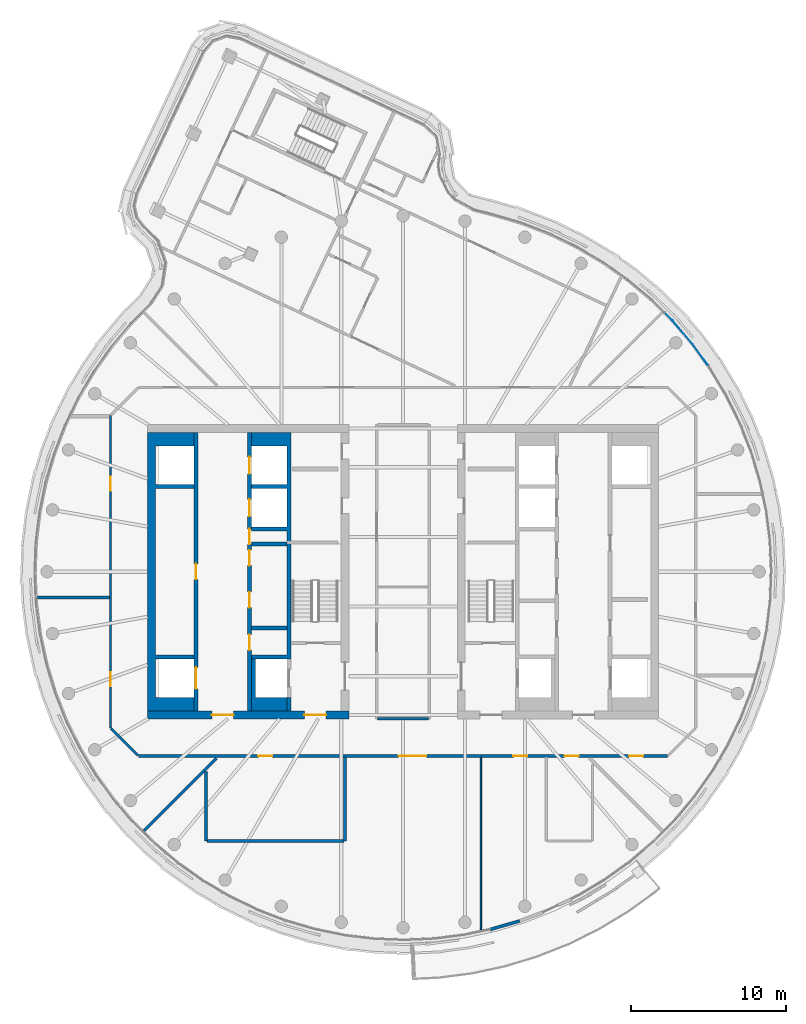
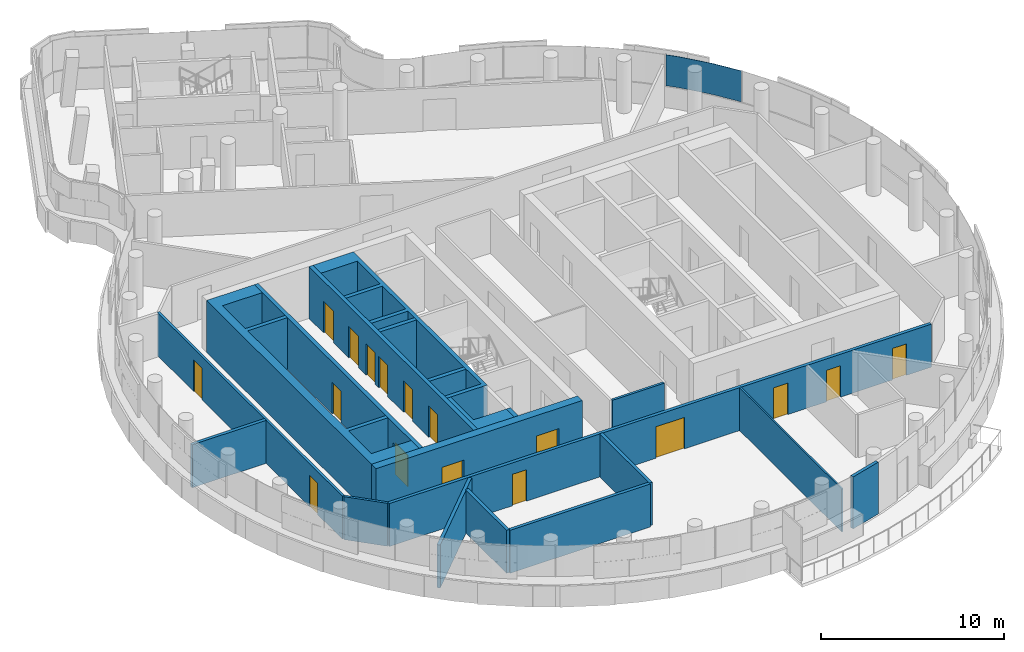
# One storey, part 13 of 21: 20 walls, 17 doors, 1 plate, 17 openings, 1 element without a shape of its own.
"""IFC4 building model written with IfcOpenShell, lengths in metres."""

from ifc_helpers import new_model, si_unit, direction, frame, frame_2d, origin, place, context, subcontext, project, spatial, polyline, rectangle, outline, extrude, material, layer, layer_set, type_object, element, fill, aggregate, save


model = new_model("IFC4")

# Units and contexts
model_context = context("Model", 3, precision=1e-05, world=origin(), true_north=direction((0.0, 1.0)))
body_context = subcontext(model_context, "Body", "Model", "MODEL_VIEW")
ifc_project = project(units=[si_unit("LENGTHUNIT", "METRE"), si_unit("AREAUNIT", "SQUARE_METRE"), si_unit("VOLUMEUNIT", "CUBIC_METRE"), si_unit("PLANEANGLEUNIT", "RADIAN"), si_unit("MASSUNIT", "GRAM", prefix="KILO")], contexts=[model_context])

# Site, building, storey
site_placement = place(None, origin())
site = spatial("IfcSite", under=ifc_project, at=site_placement, CompositionType="ELEMENT")
building_placement = place(site_placement, origin())
building = spatial("IfcBuilding", under=site, at=building_placement, Name="Tamarind Cross Interchange Tower", CompositionType="ELEMENT")
storey_placement = place(building_placement, frame((0.0, 0.0, 267.60009765625)))
storey = spatial("IfcBuildingStorey", under=building, at=storey_placement, Name="L68", CompositionType="ELEMENT", Elevation=267.60009765625)

# Curtain wall, plate
ifc_material_1 = material(Name="Aluminium 6063-T6", Category="aluminium")
ifc_layer_1 = layer(ifc_material_1, 0.139892578125)
ifc_layer_set_1 = layer_set([ifc_layer_1], Name="Aluminium 6063-T6")
curtain_wall_type = type_object("IfcCurtainWallType", Name="Hotel curtain wall, 4.5 m bays", PredefinedType="NOTDEFINED", material=ifc_layer_set_1)
curtain_wall_placement = place(storey_placement, origin())
curtain_wall = element("IfcCurtainWall", 1, at=curtain_wall_placement, inside=storey, type_object=curtain_wall_type, Name="CWS-L68-01", PredefinedType="NOTDEFINED")
ifc_material_2 = material(Name="Laminated low-e glass 6+1.52+6", Category="glass")
ifc_layer_2 = layer(ifc_material_2, 0.02392578125)
ifc_layer_set_2 = layer_set([ifc_layer_2], Name="Laminated low-e glass 6+1.52+6")
plate_type = type_object("IfcPlateType", Name="Vision panel CW2", PredefinedType="CURTAIN_PANEL", material=ifc_layer_set_2)
plate_placement = place(storey_placement, frame((0.0, 0.0, 1.39990234375)))
plate = element("IfcPlate", 2, at=plate_placement, type_object=plate_type, Name="CWP-L68-01-25", PredefinedType="CURTAIN_PANEL", context=body_context, shape_type="SweptSolid", body=[
    extrude(outline(polyline([(19.69873046875, 13.310791015625), (18.705810546875, 14.68896484375), (17.4287109375, 16.183349609375), (16.90283203125, 16.704833984375), (16.919677734375, 16.721923828125), (17.4462890625, 16.19970703125), (18.724609375, 14.703857421875), (19.71826171875, 13.32470703125), (19.69873046875, 13.310791015625)])), origin(), (0.0, 0.0, 1.0), 2.06005859375),
])
aggregate(curtain_wall, [plate])

# Wall
ifc_material_3 = material(Name="Concrete C40", Category="concrete")
ifc_layer_3 = layer(ifc_material_3, 0.199951171875)
ifc_layer_set_3 = layer_set([ifc_layer_3], Name="Concrete C40")
wall_type_1 = type_object("IfcWallType", Name="Balcony and garden door wall", PredefinedType="SOLIDWALL", material=ifc_layer_set_3)
wall_1_placement = place(storey_placement, frame((5.6376953125, -23.107177734375, 0.0), z_axis=(0.0, 0.0, 1.0), x_axis=(0.960848925483, 0.277072810644, 0.0)))
element("IfcWall", 3, at=wall_1_placement, inside=storey, type_object=wall_type_1, Name="EXW-L68-01-D15L", PredefinedType="SOLIDWALL", context=body_context, shape_type="SweptSolid", body=[
    extrude(rectangle(XDim=1.973876953125, YDim=0.199951171875, at=frame_2d((0.98681640625, 0.0))), origin(), (0.0, 0.0, 1.0), 3.4599609375),
])

# Wall, openings, doors
ifc_material_4 = material(Name="Concrete C50", Category="concrete")
ifc_layer_4 = layer(ifc_material_4, 0.5)
ifc_layer_set_4 = layer_set([ifc_layer_4], Name="Concrete C50")
wall_type_2 = type_object("IfcWallType", Name="Core wall 500 mm Concrete C50", PredefinedType="SHEAR", material=ifc_layer_set_4)
wall_2_placement = place(storey_placement, frame((-16.5, -9.25, 0.0), z_axis=(0.0, 0.0, 1.0), x_axis=(1.0, 0.0, 0.0)))
wall_2 = element("IfcWall", 4, at=wall_2_placement, inside=storey, type_object=wall_type_2, Name="Core wall CWL-L68-W-S", PredefinedType="SHEAR", context=body_context, shape_type="SweptSolid", body=[
    extrude(rectangle(XDim=13.0, YDim=0.5, at=frame_2d((6.5, 0.0))), origin(), (0.0, 0.0, 1.0), 3.4599609375),
])
opening_1_placement = place(wall_2_placement, frame((4.14990234375, 0.0, 0.0)))
opening_1 = element("IfcOpeningElement", 5, at=opening_1_placement, cuts=wall_2, Name="Opening DCW1", PredefinedType="OPENING", context=body_context, shape_type="SweptSolid", body=[
    extrude(rectangle(XDim=1.39990234375, YDim=2.10009765625, at=frame_2d((0.699951171875, 1.050048828125))), frame((0.0, 0.260009765625, 0.0), z_axis=(0.0, -1.0, 0.0), x_axis=(1.0, 0.0, 0.0)), (0.0, 0.0, 1.0), 0.52001953125),
])
opening_2_placement = place(wall_2_placement, frame((10.125, 0.0, 0.0)))
opening_2 = element("IfcOpeningElement", 6, at=opening_2_placement, cuts=wall_2, Name="Opening DCWF", PredefinedType="OPENING", context=body_context, shape_type="SweptSolid", body=[
    extrude(rectangle(XDim=1.39990234375, YDim=2.10009765625, at=frame_2d((0.699951171875, 1.050048828125))), frame((0.0, 0.260009765625, 0.0), z_axis=(0.0, -1.0, 0.0), x_axis=(1.0, 0.0, 0.0)), (0.0, 0.0, 1.0), 0.52001953125),
])
ifc_material_5 = material(Name="Steel, fire-resisting", Category="steel")
door_type_1 = type_object("IfcDoorType", Name="Core fire door 1400 x 2100 FD90", OperationType="SINGLE_SWING_LEFT", PredefinedType="DOOR", material=ifc_material_5)
door_1_placement = place(opening_1_placement, origin())
door_1 = element("IfcDoor", 7, at=door_1_placement, inside=storey, type_object=door_type_1, Name="L68 lift lobby door", OperationType="SINGLE_SWING_LEFT", OverallHeight=2.10009765625, OverallWidth=1.39990234375, PredefinedType="DOOR", context=body_context, shape_type="SweptSolid", body=[
    extrude(rectangle(XDim=1.39990234375, YDim=2.10009765625, at=frame_2d((0.699951171875, 1.050048828125))), frame((0.0, 0.02490234375, 0.0), z_axis=(0.0, -1.0, 0.0), x_axis=(1.0, 0.0, 0.0)), (0.0, 0.0, 1.0), 0.050048828125),
])
fill(opening_1, door_1)
door_2_placement = place(opening_2_placement, origin())
door_2 = element("IfcDoor", 8, at=door_2_placement, inside=storey, type_object=door_type_1, Name="L68 firefighting lobby end door", OperationType="SINGLE_SWING_LEFT", OverallHeight=2.10009765625, OverallWidth=1.39990234375, PredefinedType="DOOR", context=body_context, shape_type="SweptSolid", body=[
    extrude(rectangle(XDim=1.39990234375, YDim=2.10009765625, at=frame_2d((0.699951171875, 1.050048828125))), frame((0.0, 0.02490234375, 0.0), z_axis=(0.0, -1.0, 0.0), x_axis=(1.0, 0.0, 0.0)), (0.0, 0.0, 1.0), 0.050048828125),
])
fill(opening_2, door_2)

# Walls
wall_3_placement = place(storey_placement, origin())
element("IfcWall", 9, at=wall_3_placement, inside=storey, type_object=wall_type_2, Name="Core wall CWL-L68-W-A", PredefinedType="SHEAR", context=body_context, shape_type="SweptSolid", body=[
    extrude(outline(polyline([(-13.5, -8.125), (-16.0, -8.125), (-16.0, -5.625), (-13.5, -5.625), (-13.5, -5.375), (-16.0, -5.375), (-16.0, 5.375), (-13.5, 5.375), (-13.5, 5.625), (-16.0, 5.625), (-16.0, 8.125), (-13.5, 8.125), (-13.5, 9.0), (-16.0, 9.0), (-16.5, 9.0), (-16.5, -9.0), (-16.0, -9.0), (-13.5, -9.0), (-13.5, -8.125)])), origin(), (0.0, 0.0, 1.0), 3.4599609375),
])
ifc_layer_5 = layer(ifc_material_4, 0.25)
ifc_layer_set_5 = layer_set([ifc_layer_5], Name="Concrete C50")
wall_type_3 = type_object("IfcWallType", Name="Core web wall 250 mm Concrete C50", PredefinedType="SHEAR", material=ifc_layer_set_5)
wall_4_placement = place(storey_placement, origin())
element("IfcWall", 10, at=wall_4_placement, inside=storey, type_object=wall_type_3, Name="Core wall CWL-L68-W-BN", PredefinedType="SHEAR", context=body_context, shape_type="SweptSolid", body=[
    extrude(outline(polyline([(-9.800048828125, -5.375), (-9.800048828125, -5.625), (-7.5, -5.625), (-7.25, -5.625), (-7.25, 9.0), (-7.5, 9.0), (-9.800048828125, 9.0), (-9.800048828125, 8.125), (-7.5, 8.125), (-7.5, 5.625), (-9.800048828125, 5.625), (-9.800048828125, 5.375), (-7.5, 5.375), (-7.5, 2.875), (-9.800048828125, 2.875), (-9.800048828125, 2.625), (-7.5, 2.625), (-7.5, -5.375), (-9.800048828125, -5.375)])), origin(), (0.0, 0.0, 1.0), 3.4599609375),
])
wall_5_placement = place(storey_placement, origin())
element("IfcWall", 11, at=wall_5_placement, inside=storey, type_object=wall_type_3, Name="Core wall CWL-L68-W-BS", PredefinedType="SHEAR", context=body_context, shape_type="SweptSolid", body=[
    extrude(outline(polyline([(-7.5, -8.125), (-9.550048828125, -8.125), (-9.550048828125, -5.625), (-9.800048828125, -5.625), (-9.800048828125, -8.125), (-9.800048828125, -9.0), (-7.5, -9.0), (-7.5, -8.125)])), origin(), (0.0, 0.0, 1.0), 3.4599609375),
])
wall_6_placement = place(storey_placement, frame((-7.375, -9.0, 0.0), z_axis=(0.0, 0.0, 1.0), x_axis=(0.0, 1.0, 0.0)))
element("IfcWall", 12, at=wall_6_placement, inside=storey, type_object=wall_type_3, Name="Core wall CWL-L68-W-BW", PredefinedType="SHEAR", context=body_context, shape_type="SweptSolid", body=[
    extrude(rectangle(XDim=0.875, YDim=0.25, at=frame_2d((0.4375, 0.0))), origin(), (0.0, 0.0, 1.0), 3.4599609375),
])

# Wall, openings, doors
wall_7_placement = place(storey_placement, frame((-13.375, -9.0, 0.0), z_axis=(0.0, 0.0, 1.0), x_axis=(0.0, 1.0, 0.0)))
wall_7 = element("IfcWall", 13, at=wall_7_placement, inside=storey, type_object=wall_type_3, Name="Core wall CWL-L68-W-LA", PredefinedType="SHEAR", context=body_context, shape_type="SweptSolid", body=[
    extrude(rectangle(XDim=18.0, YDim=0.25, at=frame_2d((9.0, 0.0))), origin(), (0.0, 0.0, 1.0), 3.4599609375),
])
opening_3_placement = place(wall_7_placement, frame((1.425048828125, 0.0, 0.0)))
opening_3 = element("IfcOpeningElement", 14, at=opening_3_placement, cuts=wall_7, Name="Opening LD1L68", PredefinedType="OPENING", context=body_context, shape_type="SweptSolid", body=[
    extrude(rectangle(XDim=1.39990234375, YDim=2.10009765625, at=frame_2d((0.699951171875, 1.050048828125))), frame((0.0, 0.135009765625, 0.0), z_axis=(0.0, -1.0, 0.0), x_axis=(1.0, 0.0, 0.0)), (0.0, 0.0, 1.0), 0.27001953125),
])
opening_4_placement = place(wall_7_placement, frame((8.5, 0.0, 0.0)))
opening_4 = element("IfcOpeningElement", 15, at=opening_4_placement, cuts=wall_7, Name="Opening DCW9", PredefinedType="OPENING", context=body_context, shape_type="SweptSolid", body=[
    extrude(rectangle(XDim=1.0, YDim=2.10009765625, at=frame_2d((0.5, 1.050048828125))), frame((0.0, 0.135009765625, 0.0), z_axis=(0.0, -1.0, 0.0), x_axis=(1.0, 0.0, 0.0)), (0.0, 0.0, 1.0), 0.27001953125),
])
door_type_2 = type_object("IfcDoorType", Name="Core fire door 1000 x 2100 FD90", OperationType="SINGLE_SWING_LEFT", PredefinedType="DOOR", material=ifc_material_5)
door_3_placement = place(opening_4_placement, origin())
door_3 = element("IfcDoor", 16, at=door_3_placement, inside=storey, type_object=door_type_2, Name="L68 Linen press door", OperationType="SINGLE_SWING_LEFT", OverallHeight=2.10009765625, OverallWidth=1.0, PredefinedType="DOOR", context=body_context, shape_type="SweptSolid", body=[
    extrude(rectangle(XDim=1.0, YDim=2.10009765625, at=frame_2d((0.5, 1.050048828125))), frame((0.0, 0.02490234375, 0.0), z_axis=(0.0, -1.0, 0.0), x_axis=(1.0, 0.0, 0.0)), (0.0, 0.0, 1.0), 0.050048828125),
])
fill(opening_4, door_3)
ifc_material_6 = material(Name="Stainless steel panel", Category="steel")
door_type_3 = type_object("IfcDoorType", Name="Lift landing door 1400 x 2100 E 120", OperationType="SLIDING_TO_LEFT", PredefinedType="DOOR", material=ifc_material_6)
door_4_placement = place(opening_3_placement, origin())
door_4 = element("IfcDoor", 17, at=door_4_placement, inside=storey, type_object=door_type_3, Name="L68 landing door LF1", OperationType="SLIDING_TO_LEFT", OverallHeight=2.10009765625, OverallWidth=1.39990234375, PredefinedType="DOOR", context=body_context, shape_type="SweptSolid", body=[
    extrude(rectangle(XDim=1.39990234375, YDim=2.10009765625, at=frame_2d((0.699951171875, 1.050048828125))), frame((0.0, 0.02490234375, 0.0), z_axis=(0.0, -1.0, 0.0), x_axis=(1.0, 0.0, 0.0)), (0.0, 0.0, 1.0), 0.050048828125),
])
fill(opening_3, door_4)

wall_8_placement = place(storey_placement, frame((-9.925048828125, -9.0, 0.0), z_axis=(0.0, 0.0, 1.0), x_axis=(0.0, 1.0, 0.0)))
wall_8 = element("IfcWall", 18, at=wall_8_placement, inside=storey, type_object=wall_type_3, Name="Core wall CWL-L68-W-LB", PredefinedType="SHEAR", context=body_context, shape_type="SweptSolid", body=[
    extrude(rectangle(XDim=18.0, YDim=0.25, at=frame_2d((9.0, 0.0))), origin(), (0.0, 0.0, 1.0), 3.4599609375),
])
opening_5_placement = place(wall_8_placement, frame((12.574951171875, 0.0, 0.0)))
opening_5 = element("IfcOpeningElement", 19, at=opening_5_placement, cuts=wall_8, Name="Opening LD11L68", PredefinedType="OPENING", context=body_context, shape_type="SweptSolid", body=[
    extrude(rectangle(XDim=1.10009765625, YDim=2.10009765625, at=frame_2d((0.550048828125, 1.050048828125))), frame((0.0, 0.135009765625, 0.0), z_axis=(0.0, -1.0, 0.0), x_axis=(1.0, 0.0, 0.0)), (0.0, 0.0, 1.0), 0.27001953125),
])
opening_6_placement = place(wall_8_placement, frame((15.324951171875, 0.0, 0.0)))
opening_6 = element("IfcOpeningElement", 20, at=opening_6_placement, cuts=wall_8, Name="Opening LD12L68", PredefinedType="OPENING", context=body_context, shape_type="SweptSolid", body=[
    extrude(rectangle(XDim=1.10009765625, YDim=2.10009765625, at=frame_2d((0.550048828125, 1.050048828125))), frame((0.0, 0.135009765625, 0.0), z_axis=(0.0, -1.0, 0.0), x_axis=(1.0, 0.0, 0.0)), (0.0, 0.0, 1.0), 0.27001953125),
])
opening_7_placement = place(wall_8_placement, frame((3.9375, 0.0, 0.0)))
opening_7 = element("IfcOpeningElement", 21, at=opening_7_placement, cuts=wall_8, Name="Opening DCW21", PredefinedType="OPENING", context=body_context, shape_type="SweptSolid", body=[
    extrude(rectangle(XDim=1.0, YDim=2.10009765625, at=frame_2d((0.5, 1.050048828125))), frame((0.0, 0.135009765625, 0.0), z_axis=(0.0, -1.0, 0.0), x_axis=(1.0, 0.0, 0.0)), (0.0, 0.0, 1.0), 0.27001953125),
])
opening_8_placement = place(wall_8_placement, frame((6.6875, 0.0, 0.0)))
opening_8 = element("IfcOpeningElement", 22, at=opening_8_placement, cuts=wall_8, Name="Opening DCW22", PredefinedType="OPENING", context=body_context, shape_type="SweptSolid", body=[
    extrude(rectangle(XDim=1.0, YDim=2.10009765625, at=frame_2d((0.5, 1.050048828125))), frame((0.0, 0.135009765625, 0.0), z_axis=(0.0, -1.0, 0.0), x_axis=(1.0, 0.0, 0.0)), (0.0, 0.0, 1.0), 0.27001953125),
])
opening_9_placement = place(wall_8_placement, frame((9.39599609375, 0.0, 0.0)))
opening_9 = element("IfcOpeningElement", 23, at=opening_9_placement, cuts=wall_8, Name="Opening DCW21", PredefinedType="OPENING", context=body_context, shape_type="SweptSolid", body=[
    extrude(rectangle(XDim=1.0, YDim=2.10009765625, at=frame_2d((0.5, 1.050048828125))), frame((0.0, 0.135009765625, 0.0), z_axis=(0.0, -1.0, 0.0), x_axis=(1.0, 0.0, 0.0)), (0.0, 0.0, 1.0), 0.27001953125),
])
opening_10_placement = place(wall_8_placement, frame((10.77099609375, 0.0, 0.0)))
opening_10 = element("IfcOpeningElement", 24, at=opening_10_placement, cuts=wall_8, Name="Opening DCW22", PredefinedType="OPENING", context=body_context, shape_type="SweptSolid", body=[
    extrude(rectangle(XDim=1.0, YDim=2.10009765625, at=frame_2d((0.5, 1.050048828125))), frame((0.0, 0.135009765625, 0.0), z_axis=(0.0, -1.0, 0.0), x_axis=(1.0, 0.0, 0.0)), (0.0, 0.0, 1.0), 0.27001953125),
])
door_5_placement = place(opening_7_placement, origin())
door_5 = element("IfcDoor", 25, at=door_5_placement, inside=storey, type_object=door_type_2, Name="L68 Hotel pantry door", OperationType="SINGLE_SWING_LEFT", OverallHeight=2.10009765625, OverallWidth=1.0, PredefinedType="DOOR", context=body_context, shape_type="SweptSolid", body=[
    extrude(rectangle(XDim=1.0, YDim=2.10009765625, at=frame_2d((0.5, 1.050048828125))), frame((0.0, 0.02490234375, 0.0), z_axis=(0.0, -1.0, 0.0), x_axis=(1.0, 0.0, 0.0)), (0.0, 0.0, 1.0), 0.050048828125),
])
fill(opening_7, door_5)
door_6_placement = place(opening_8_placement, origin())
door_6 = element("IfcDoor", 26, at=door_6_placement, inside=storey, type_object=door_type_2, Name="L68 Staff changing room door", OperationType="SINGLE_SWING_LEFT", OverallHeight=2.10009765625, OverallWidth=1.0, PredefinedType="DOOR", context=body_context, shape_type="SweptSolid", body=[
    extrude(rectangle(XDim=1.0, YDim=2.10009765625, at=frame_2d((0.5, 1.050048828125))), frame((0.0, 0.02490234375, 0.0), z_axis=(0.0, -1.0, 0.0), x_axis=(1.0, 0.0, 0.0)), (0.0, 0.0, 1.0), 0.050048828125),
])
fill(opening_8, door_6)
door_7_placement = place(opening_9_placement, origin())
door_7 = element("IfcDoor", 27, at=door_7_placement, inside=storey, type_object=door_type_2, Name="L68 Hotel pantry door", OperationType="SINGLE_SWING_LEFT", OverallHeight=2.10009765625, OverallWidth=1.0, PredefinedType="DOOR", context=body_context, shape_type="SweptSolid", body=[
    extrude(rectangle(XDim=1.0, YDim=2.10009765625, at=frame_2d((0.5, 1.050048828125))), frame((0.0, 0.02490234375, 0.0), z_axis=(0.0, -1.0, 0.0), x_axis=(1.0, 0.0, 0.0)), (0.0, 0.0, 1.0), 0.050048828125),
])
fill(opening_9, door_7)
door_8_placement = place(opening_10_placement, origin())
door_8 = element("IfcDoor", 28, at=door_8_placement, inside=storey, type_object=door_type_2, Name="L68 Staff changing room door", OperationType="SINGLE_SWING_LEFT", OverallHeight=2.10009765625, OverallWidth=1.0, PredefinedType="DOOR", context=body_context, shape_type="SweptSolid", body=[
    extrude(rectangle(XDim=1.0, YDim=2.10009765625, at=frame_2d((0.5, 1.050048828125))), frame((0.0, 0.02490234375, 0.0), z_axis=(0.0, -1.0, 0.0), x_axis=(1.0, 0.0, 0.0)), (0.0, 0.0, 1.0), 0.050048828125),
])
fill(opening_10, door_8)
door_type_4 = type_object("IfcDoorType", Name="Lift landing door 1100 x 2100 E 120", OperationType="SLIDING_TO_LEFT", PredefinedType="DOOR", material=ifc_material_6)
door_9_placement = place(opening_5_placement, origin())
door_9 = element("IfcDoor", 29, at=door_9_placement, inside=storey, type_object=door_type_4, Name="L68 landing door LF11", OperationType="SLIDING_TO_LEFT", OverallHeight=2.10009765625, OverallWidth=1.10009765625, PredefinedType="DOOR", context=body_context, shape_type="SweptSolid", body=[
    extrude(rectangle(XDim=1.10009765625, YDim=2.10009765625, at=frame_2d((0.550048828125, 1.050048828125))), frame((0.0, 0.02490234375, 0.0), z_axis=(0.0, -1.0, 0.0), x_axis=(1.0, 0.0, 0.0)), (0.0, 0.0, 1.0), 0.050048828125),
])
fill(opening_5, door_9)
door_10_placement = place(opening_6_placement, origin())
door_10 = element("IfcDoor", 30, at=door_10_placement, inside=storey, type_object=door_type_4, Name="L68 landing door LF12", OperationType="SLIDING_TO_LEFT", OverallHeight=2.10009765625, OverallWidth=1.10009765625, PredefinedType="DOOR", context=body_context, shape_type="SweptSolid", body=[
    extrude(rectangle(XDim=1.10009765625, YDim=2.10009765625, at=frame_2d((0.550048828125, 1.050048828125))), frame((0.0, 0.02490234375, 0.0), z_axis=(0.0, -1.0, 0.0), x_axis=(1.0, 0.0, 0.0)), (0.0, 0.0, 1.0), 0.050048828125),
])
fill(opening_6, door_10)

# Walls
ifc_material_7 = material(Name="Gypsum board partition on steel studs", Category="steel")
ifc_layer_6 = layer(ifc_material_7, 0.10009765625)
ifc_layer_set_6 = layer_set([ifc_layer_6], Name="Gypsum board partition on steel studs")
wall_type_4 = type_object("IfcWallType", Name="Partition 100 mm EI 90", PredefinedType="PARTITIONING", material=ifc_layer_set_6)
wall_9_placement = place(storey_placement, frame((5.02197265625, -23.1357421875, 0.0), z_axis=(0.0, 0.0, 1.0), x_axis=(0.0, 1.0, 0.0)))
element("IfcWall", 31, at=wall_9_placement, inside=storey, type_object=wall_type_4, Name="Partition L68-045", PredefinedType="PARTITIONING", context=body_context, shape_type="SweptSolid", body=[
    extrude(rectangle(XDim=11.15576171875, YDim=0.10009765625, at=frame_2d((5.577880859375, 0.0))), origin(), (0.0, 0.0, 1.0), 2.864013671875),
])
ifc_layer_7 = layer(ifc_material_7, 0.14990234375)
ifc_layer_set_7 = layer_set([ifc_layer_7], Name="Gypsum board partition on steel studs")
wall_type_5 = type_object("IfcWallType", Name="Partition 150 mm EI 120", PredefinedType="PARTITIONING", material=ifc_layer_set_7)
wall_10_placement = place(storey_placement, frame((-18.87158203125, -10.12841796875, 0.0), z_axis=(0.0, 0.0, 1.0), x_axis=(0.707106781187, -0.707106781187, 0.0)))
element("IfcWall", 32, at=wall_10_placement, inside=storey, type_object=wall_type_5, Name="Partition L68-001", PredefinedType="PARTITIONING", context=body_context, shape_type="SweptSolid", body=[
    extrude(rectangle(XDim=2.455078125, YDim=0.14990234375, at=frame_2d((1.2275390625, 0.0))), origin(), (0.0, 0.0, 1.0), 2.864013671875),
])
wall_11_placement = place(storey_placement, frame((-1.639892578125, -9.5, 0.0), z_axis=(0.0, 0.0, 1.0), x_axis=(1.0, 0.0, 0.0)))
element("IfcWall", 33, at=wall_11_placement, inside=storey, type_object=wall_type_5, Name="Partition L68-022", PredefinedType="PARTITIONING", context=body_context, shape_type="SweptSolid", body=[
    extrude(rectangle(XDim=3.27978515625, YDim=0.14990234375, at=frame_2d((1.639892578125, 0.0))), origin(), (0.0, 0.0, 1.0), 2.864013671875),
])

# Wall, openings, doors
wall_12_placement = place(storey_placement, frame((-18.89990234375, -10.10009765625, 0.0), z_axis=(0.0, 0.0, 1.0), x_axis=(0.0, 1.0, 0.0)))
wall_12 = element("IfcWall", 34, at=wall_12_placement, inside=storey, type_object=wall_type_5, Name="Partition L68-040", PredefinedType="PARTITIONING", context=body_context, shape_type="SweptSolid", body=[
    extrude(rectangle(XDim=20.2001953125, YDim=0.14990234375, at=frame_2d((10.10009765625, 0.0))), origin(), (0.0, 0.0, 1.0), 2.864013671875),
])
opening_11_placement = place(wall_12_placement, frame((2.699951171875, 0.0, 0.0)))
opening_11 = element("IfcOpeningElement", 35, at=opening_11_placement, cuts=wall_12, Name="Opening D21", PredefinedType="OPENING", context=body_context, shape_type="SweptSolid", body=[
    extrude(rectangle(XDim=0.89990234375, YDim=2.10009765625, at=frame_2d((0.449951171875, 1.050048828125))), frame((0.0, 0.0849609375, 0.0), z_axis=(0.0, -1.0, 0.0), x_axis=(1.0, 0.0, 0.0)), (0.0, 0.0, 1.0), 0.169921875),
])
opening_12_placement = place(wall_12_placement, frame((15.325927734375, 0.0, 0.0)))
opening_12 = element("IfcOpeningElement", 36, at=opening_12_placement, cuts=wall_12, Name="Opening D22", PredefinedType="OPENING", context=body_context, shape_type="SweptSolid", body=[
    extrude(rectangle(XDim=0.89990234375, YDim=2.10009765625, at=frame_2d((0.449951171875, 1.050048828125))), frame((0.0, 0.0849609375, 0.0), z_axis=(0.0, -1.0, 0.0), x_axis=(1.0, 0.0, 0.0)), (0.0, 0.0, 1.0), 0.169921875),
])
ifc_material_8 = material(Name="Fire-resisting door set")
door_type_5 = type_object("IfcDoorType", Name="Interior door 900 x 2100 FD60S", OperationType="SINGLE_SWING_LEFT", PredefinedType="DOOR", material=ifc_material_8)
door_11_placement = place(opening_11_placement, origin())
door_11 = element("IfcDoor", 37, at=door_11_placement, inside=storey, type_object=door_type_5, Name="Door D21", OperationType="SINGLE_SWING_RIGHT", OverallHeight=2.10009765625, OverallWidth=0.89990234375, PredefinedType="DOOR", context=body_context, shape_type="SweptSolid", body=[
    extrude(rectangle(XDim=0.89990234375, YDim=2.10009765625, at=frame_2d((0.449951171875, 1.050048828125))), frame((0.0, 0.02490234375, 0.0), z_axis=(0.0, -1.0, 0.0), x_axis=(1.0, 0.0, 0.0)), (0.0, 0.0, 1.0), 0.050048828125),
])
fill(opening_11, door_11)
door_12_placement = place(opening_12_placement, origin())
door_12 = element("IfcDoor", 38, at=door_12_placement, inside=storey, type_object=door_type_5, Name="Door D22", OperationType="SINGLE_SWING_LEFT", OverallHeight=2.10009765625, OverallWidth=0.89990234375, PredefinedType="DOOR", context=body_context, shape_type="SweptSolid", body=[
    extrude(rectangle(XDim=0.89990234375, YDim=2.10009765625, at=frame_2d((0.449951171875, 1.050048828125))), frame((0.0, 0.02490234375, 0.0), z_axis=(0.0, -1.0, 0.0), x_axis=(1.0, 0.0, 0.0)), (0.0, 0.0, 1.0), 0.050048828125),
])
fill(opening_12, door_12)

# Wall
ifc_layer_8 = layer(ifc_material_7, 0.199951171875)
ifc_layer_set_8 = layer_set([ifc_layer_8], Name="Gypsum board partition on steel studs")
wall_type_6 = type_object("IfcWallType", Name="Partition 200 mm EI 180", PredefinedType="PARTITIONING", material=ifc_layer_set_8)
wall_13_placement = place(storey_placement, frame((-23.622802734375, -1.674072265625, 0.0), z_axis=(0.0, 0.0, 1.0), x_axis=(1.0, 0.0, 0.0)))
element("IfcWall", 39, at=wall_13_placement, inside=storey, type_object=wall_type_6, Name="Partition L68-016", PredefinedType="PARTITIONING", context=body_context, shape_type="SweptSolid", body=[
    extrude(rectangle(XDim=4.667724609375, YDim=0.199951171875, at=frame_2d((2.333984375, 0.0))), origin(), (0.0, 0.0, 1.0), 2.864013671875),
])

# Wall, openings, doors
wall_14_placement = place(storey_placement, frame((-17.10009765625, -11.89990234375, 0.0), z_axis=(0.0, 0.0, 1.0), x_axis=(1.0, 0.0, 0.0)))
wall_14 = element("IfcWall", 40, at=wall_14_placement, inside=storey, type_object=wall_type_6, Name="Partition L68-018", PredefinedType="PARTITIONING", context=body_context, shape_type="SweptSolid", body=[
    extrude(rectangle(XDim=34.1650390625, YDim=0.199951171875, at=frame_2d((17.08251953125, 0.0))), origin(), (0.0, 0.0, 1.0), 2.864013671875),
])
opening_13_placement = place(wall_14_placement, frame((7.75, 0.0, 0.0)))
opening_13 = element("IfcOpeningElement", 41, at=opening_13_placement, cuts=wall_14, Name="Opening D07", PredefinedType="OPENING", context=body_context, shape_type="SweptSolid", body=[
    extrude(rectangle(XDim=0.89990234375, YDim=2.10009765625, at=frame_2d((0.449951171875, 1.050048828125))), frame((0.0, 0.10986328125, 0.0), z_axis=(0.0, -1.0, 0.0), x_axis=(1.0, 0.0, 0.0)), (0.0, 0.0, 1.0), 0.219970703125),
])
opening_14_placement = place(wall_14_placement, frame((27.541015625, 0.0, 0.0)))
opening_14 = element("IfcOpeningElement", 42, at=opening_14_placement, cuts=wall_14, Name="Opening D08", PredefinedType="OPENING", context=body_context, shape_type="SweptSolid", body=[
    extrude(rectangle(XDim=0.89990234375, YDim=2.10009765625, at=frame_2d((0.449951171875, 1.050048828125))), frame((0.0, 0.10986328125, 0.0), z_axis=(0.0, -1.0, 0.0), x_axis=(1.0, 0.0, 0.0)), (0.0, 0.0, 1.0), 0.219970703125),
])
opening_15_placement = place(wall_14_placement, frame((16.80908203125, 0.0, 0.0)))
opening_15 = element("IfcOpeningElement", 43, at=opening_15_placement, cuts=wall_14, Name="Opening D09", PredefinedType="OPENING", context=body_context, shape_type="SweptSolid", body=[
    extrude(rectangle(XDim=1.800048828125, YDim=2.10009765625, at=frame_2d((0.89990234375, 1.050048828125))), frame((0.0, 0.10986328125, 0.0), z_axis=(0.0, -1.0, 0.0), x_axis=(1.0, 0.0, 0.0)), (0.0, 0.0, 1.0), 0.219970703125),
])
opening_16_placement = place(wall_14_placement, frame((24.221923828125, 0.0, 0.0)))
opening_16 = element("IfcOpeningElement", 44, at=opening_16_placement, cuts=wall_14, Name="Opening D10", PredefinedType="OPENING", context=body_context, shape_type="SweptSolid", body=[
    extrude(rectangle(XDim=0.89990234375, YDim=2.10009765625, at=frame_2d((0.449951171875, 1.050048828125))), frame((0.0, 0.10986328125, 0.0), z_axis=(0.0, -1.0, 0.0), x_axis=(1.0, 0.0, 0.0)), (0.0, 0.0, 1.0), 0.219970703125),
])
opening_17_placement = place(wall_14_placement, frame((31.699951171875, 0.0, 0.0)))
opening_17 = element("IfcOpeningElement", 45, at=opening_17_placement, cuts=wall_14, Name="Opening D11", PredefinedType="OPENING", context=body_context, shape_type="SweptSolid", body=[
    extrude(rectangle(XDim=0.89990234375, YDim=2.10009765625, at=frame_2d((0.449951171875, 1.050048828125))), frame((0.0, 0.10986328125, 0.0), z_axis=(0.0, -1.0, 0.0), x_axis=(1.0, 0.0, 0.0)), (0.0, 0.0, 1.0), 0.219970703125),
])
door_type_6 = type_object("IfcDoorType", Name="Interior door 1800 x 2100 FD120S", OperationType="DOUBLE_DOOR_SINGLE_SWING", PredefinedType="DOOR", material=ifc_material_8)
door_13_placement = place(opening_15_placement, origin())
door_13 = element("IfcDoor", 46, at=door_13_placement, inside=storey, type_object=door_type_6, Name="Door D09", OperationType="DOUBLE_DOOR_SINGLE_SWING", OverallHeight=2.10009765625, OverallWidth=1.800048828125, PredefinedType="DOOR", context=body_context, shape_type="SweptSolid", body=[
    extrude(rectangle(XDim=1.800048828125, YDim=2.10009765625, at=frame_2d((0.89990234375, 1.050048828125))), frame((0.0, 0.02490234375, 0.0), z_axis=(0.0, -1.0, 0.0), x_axis=(1.0, 0.0, 0.0)), (0.0, 0.0, 1.0), 0.050048828125),
])
fill(opening_15, door_13)
door_type_7 = type_object("IfcDoorType", Name="Interior door 900 x 2100 FD120S", OperationType="SINGLE_SWING_LEFT", PredefinedType="DOOR", material=ifc_material_8)
door_14_placement = place(opening_13_placement, frame((0.89990234375, 0.0, 0.0), z_axis=(0.0, 0.0, 1.0), x_axis=(-1.0, 0.0, 0.0)))
door_14 = element("IfcDoor", 47, at=door_14_placement, inside=storey, type_object=door_type_7, Name="Door D07", OperationType="SINGLE_SWING_LEFT", OverallHeight=2.10009765625, OverallWidth=0.89990234375, PredefinedType="DOOR", context=body_context, shape_type="SweptSolid", body=[
    extrude(rectangle(XDim=0.89990234375, YDim=2.10009765625, at=frame_2d((0.449951171875, 1.050048828125))), frame((0.0, 0.02490234375, 0.0), z_axis=(0.0, -1.0, 0.0), x_axis=(1.0, 0.0, 0.0)), (0.0, 0.0, 1.0), 0.050048828125),
])
fill(opening_13, door_14)
door_15_placement = place(opening_14_placement, frame((0.89990234375, 0.0, 0.0), z_axis=(0.0, 0.0, 1.0), x_axis=(-1.0, 0.0, 0.0)))
door_15 = element("IfcDoor", 48, at=door_15_placement, inside=storey, type_object=door_type_7, Name="Door D08", OperationType="SINGLE_SWING_RIGHT", OverallHeight=2.10009765625, OverallWidth=0.89990234375, PredefinedType="DOOR", context=body_context, shape_type="SweptSolid", body=[
    extrude(rectangle(XDim=0.89990234375, YDim=2.10009765625, at=frame_2d((0.449951171875, 1.050048828125))), frame((0.0, 0.02490234375, 0.0), z_axis=(0.0, -1.0, 0.0), x_axis=(1.0, 0.0, 0.0)), (0.0, 0.0, 1.0), 0.050048828125),
])
fill(opening_14, door_15)
door_16_placement = place(opening_16_placement, frame((0.89990234375, 0.0, 0.0), z_axis=(0.0, 0.0, 1.0), x_axis=(-1.0, 0.0, 0.0)))
door_16 = element("IfcDoor", 49, at=door_16_placement, inside=storey, type_object=door_type_7, Name="Door D10", OperationType="SINGLE_SWING_RIGHT", OverallHeight=2.10009765625, OverallWidth=0.89990234375, PredefinedType="DOOR", context=body_context, shape_type="SweptSolid", body=[
    extrude(rectangle(XDim=0.89990234375, YDim=2.10009765625, at=frame_2d((0.449951171875, 1.050048828125))), frame((0.0, 0.02490234375, 0.0), z_axis=(0.0, -1.0, 0.0), x_axis=(1.0, 0.0, 0.0)), (0.0, 0.0, 1.0), 0.050048828125),
])
fill(opening_16, door_16)
door_17_placement = place(opening_17_placement, frame((0.89990234375, 0.0, 0.0), z_axis=(0.0, 0.0, 1.0), x_axis=(-1.0, 0.0, 0.0)))
door_17 = element("IfcDoor", 50, at=door_17_placement, inside=storey, type_object=door_type_7, Name="Door D11", OperationType="SINGLE_SWING_RIGHT", OverallHeight=2.10009765625, OverallWidth=0.89990234375, PredefinedType="DOOR", context=body_context, shape_type="SweptSolid", body=[
    extrude(rectangle(XDim=0.89990234375, YDim=2.10009765625, at=frame_2d((0.449951171875, 1.050048828125))), frame((0.0, 0.02490234375, 0.0), z_axis=(0.0, -1.0, 0.0), x_axis=(1.0, 0.0, 0.0)), (0.0, 0.0, 1.0), 0.050048828125),
])
fill(opening_17, door_17)

# Walls
wall_15_placement = place(storey_placement, frame((-12.660888671875, -17.39990234375, 0.0), z_axis=(0.0, 0.0, 1.0), x_axis=(1.0, 0.0, 0.0)))
element("IfcWall", 51, at=wall_15_placement, inside=storey, type_object=wall_type_6, Name="Partition L68-020", PredefinedType="PARTITIONING", context=body_context, shape_type="SweptSolid", body=[
    extrude(rectangle(XDim=8.8349609375, YDim=0.199951171875, at=frame_2d((4.41748046875, 0.0))), origin(), (0.0, 0.0, 1.0), 2.864013671875),
])
wall_16_placement = place(storey_placement, frame((-16.740478515625, -16.740478515625, 0.0), z_axis=(0.0, 0.0, 1.0), x_axis=(0.707106781187, 0.707106781187, 0.0)))
element("IfcWall", 52, at=wall_16_placement, inside=storey, type_object=wall_type_6, Name="Partition L68-028", PredefinedType="PARTITIONING", context=body_context, shape_type="SweptSolid", body=[
    extrude(rectangle(XDim=6.630615234375, YDim=0.199951171875, at=frame_2d((3.3154296875, 0.0))), origin(), (0.0, 0.0, 1.0), 2.864013671875),
])
wall_17_placement = place(storey_placement, frame((-12.740966796875, -17.39990234375, 0.0), z_axis=(0.0, 0.0, 1.0), x_axis=(0.0, 1.0, 0.0)))
element("IfcWall", 53, at=wall_17_placement, inside=storey, type_object=wall_type_6, Name="Partition L68-041", PredefinedType="PARTITIONING", context=body_context, shape_type="SweptSolid", body=[
    extrude(rectangle(XDim=4.4990234375, YDim=0.199951171875, at=frame_2d((2.24951171875, 0.0))), origin(), (0.0, 0.0, 1.0), 2.864013671875),
])
wall_18_placement = place(storey_placement, frame((-3.740966796875, -17.39990234375, 0.0), z_axis=(0.0, 0.0, 1.0), x_axis=(0.0, 1.0, 0.0)))
element("IfcWall", 54, at=wall_18_placement, inside=storey, type_object=wall_type_6, Name="Partition L68-042", PredefinedType="PARTITIONING", context=body_context, shape_type="SweptSolid", body=[
    extrude(rectangle(XDim=5.419921875, YDim=0.199951171875, at=frame_2d((2.7099609375, 0.0))), origin(), (0.0, 0.0, 1.0), 2.864013671875),
])
ifc_layer_9 = layer(ifc_material_3, 0.25)
ifc_layer_set_9 = layer_set([ifc_layer_9], Name="Concrete C40")
wall_type_7 = type_object("IfcWallType", Name="Shaft and lobby wall 250 mm Concrete C40", PredefinedType="PARTITIONING", material=ifc_layer_set_9)
for number, where, z_axis, x_axis, name in (
    (55, (-9.800048828125, -3.625, 0.0), (0.0, 0.0, 1.0), (1.0, 0.0, 0.0), "Shaft wall CWL-L68-W-FPB1"),
    (56, (-9.800048828125, 1.7919921875, 0.0), (0.0, 0.0, 1.0), (1.0, 0.0, 0.0), "Shaft wall CWL-L68-W-FPB3"),
):
    element("IfcWall", number, at=place(storey_placement, frame(where, z_axis=z_axis, x_axis=x_axis)), inside=storey, type_object=wall_type_7, Name=name, PredefinedType="PARTITIONING", context=body_context, shape_type="SweptSolid", body=[
        extrude(rectangle(XDim=2.300048828125, YDim=0.25, at=frame_2d((1.14990234375, 0.0))), origin(), (0.0, 0.0, 1.0), 3.4599609375),
    ])

save(model, "model.ifc")
